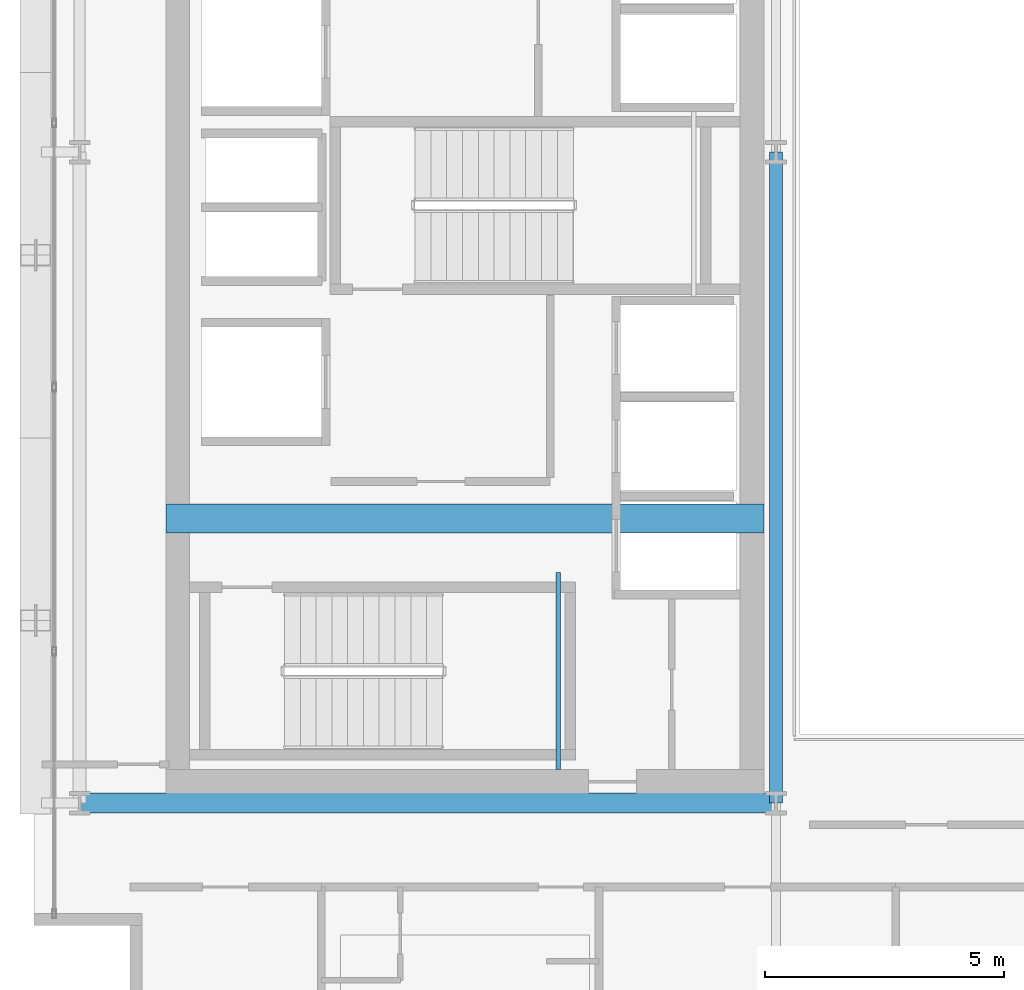
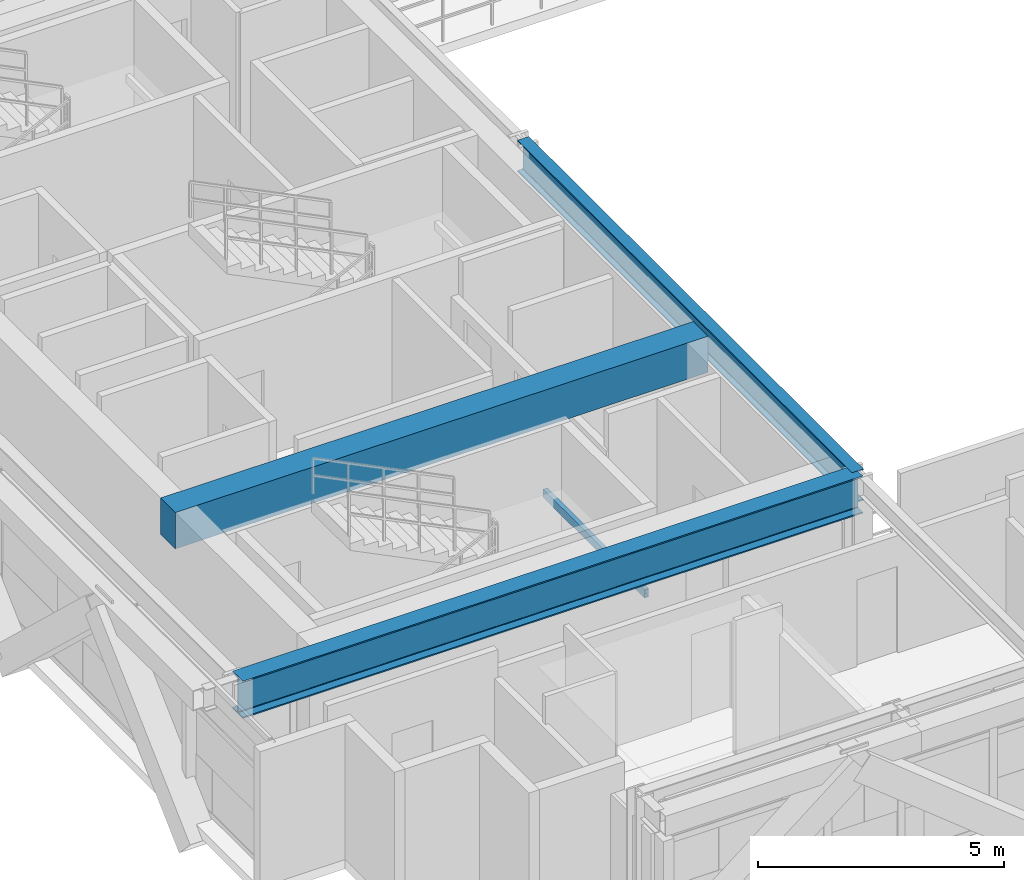
# One storey, part 5 of 31: 4 beams.
"""IFC4 building model written with IfcOpenShell, lengths in metres."""

from ifc_helpers import new_model, si_unit, direction, frame, origin, origin_2d, place, context, subcontext, project, spatial, rectangle, hollow_rectangle, i_section, extrude, source, transform, mapped, material, material_profile, profile_set, type_object, element, save


model = new_model("IFC4")

# Units and contexts
model_context = context("Model", 3, precision=1e-05, world=origin(), true_north=direction((0.0, 1.0)))
body_context = subcontext(model_context, "Body", "Model", "MODEL_VIEW")
ifc_project = project(units=[si_unit("LENGTHUNIT", "METRE"), si_unit("AREAUNIT", "SQUARE_METRE"), si_unit("VOLUMEUNIT", "CUBIC_METRE"), si_unit("PLANEANGLEUNIT", "RADIAN"), si_unit("MASSUNIT", "GRAM", prefix="KILO")], contexts=[model_context])

# Site, building, storey
site_placement = place(None, origin())
site = spatial("IfcSite", under=ifc_project, at=site_placement, CompositionType="ELEMENT")
building_placement = place(site_placement, origin())
building = spatial("IfcBuilding", under=site, at=building_placement, Name="Ocotamira Hotel", CompositionType="ELEMENT")
storey_placement = place(building_placement, frame((0.0, 0.0, 188.39990234375)))
storey = spatial("IfcBuildingStorey", under=building, at=storey_placement, Name="L47", CompositionType="ELEMENT", Elevation=188.39990234375)

# Beams
ifc_material_1 = material(Name="Concrete C50/60", Category="concrete")
ifc_material_profile_1 = material_profile(ifc_material_1, rectangle(XDim=0.60009765625, YDim=0.89990234375, at=origin_2d()), Name="RC600X900")
ifc_profile_set_1 = profile_set([ifc_material_profile_1], Name="Concrete C50/60")
beam_type_1 = type_object("IfcBeamType", Name="BM-LINK-RC600", PredefinedType="LINTEL", material=ifc_profile_set_1)
shared_shape_1 = source(origin(), body_context, "Body", "SweptSolid", [
    extrude(rectangle(XDim=0.60009765625, YDim=0.89990234375, at=origin_2d()), origin(), (0.0, 0.0, 1.0), 12.5),
])
beam_1_placement = place(storey_placement, frame((10.75, 20.5, 2.920166015625), z_axis=(1.0, 0.0, 0.0), x_axis=(0.0, 1.0, 0.0)))
element("IfcBeam", 1, at=beam_1_placement, inside=storey, type_object=beam_type_1, Name="L47 West Core Coupling Beam", PredefinedType="LINTEL", context=body_context, shape_type="MappedRepresentation", body=[
    mapped(shared_shape_1, transform((0.0, 0.0, 0.0), scale=1.0)),
])
ifc_material_2 = material(Name="Steel ASTM A500 Grade C", Category="steel")
ifc_material_profile_2 = material_profile(ifc_material_2, hollow_rectangle(XDim=0.10009765625, YDim=0.199951171875, WallThickness=0.008056640625, at=origin_2d()), Name="HSS200X100X8")
ifc_profile_set_2 = profile_set([ifc_material_profile_2], Name="Steel ASTM A500 Grade C")
beam_type_2 = type_object("IfcBeamType", Name="BM-STLDG-HSS200", PredefinedType="BEAM", material=ifc_profile_set_2)
shared_shape_2 = source(origin(), body_context, "Body", "SweptSolid", [
    extrude(hollow_rectangle(XDim=0.10009765625, YDim=0.199951171875, WallThickness=0.008056640625, at=origin_2d()), origin(), (0.0, 0.0, 1.0), 4.1201171875),
])
beam_2_placement = place(storey_placement, frame((18.949951171875, 15.25, 1.5), z_axis=(0.0, 1.0, 0.0), x_axis=(-1.0, 0.0, 0.0)))
element("IfcBeam", 2, at=beam_2_placement, inside=storey, type_object=beam_type_2, Name="L47 Stair ST-1 Landing Bearer 1", PredefinedType="BEAM", context=body_context, shape_type="MappedRepresentation", body=[
    mapped(shared_shape_2, transform((0.0, 0.0, 0.0), scale=1.0)),
])
ifc_material_3 = material(Name="Steel ASTM A992 Grade 50", Category="steel")
ifc_material_profile_3 = material_profile(ifc_material_3, i_section(OverallWidth=0.41796875, OverallDepth=0.927001953125, WebThickness=0.019287109375, FlangeThickness=0.031982421875, FilletRadius=0.02392578125, at=origin_2d()), Name="W36X231")
ifc_profile_set_3 = profile_set([ifc_material_profile_3], Name="Steel ASTM A992 Grade 50")
beam_type_3 = type_object("IfcBeamType", Name="BM-GIRD-W36X231", PredefinedType="BEAM", material=ifc_profile_set_3)
shared_shape_3 = source(origin(), body_context, "Body", "SweptSolid", [
    extrude(i_section(OverallWidth=0.41796875, OverallDepth=0.927001953125, WebThickness=0.019287109375, FlangeThickness=0.031982421875, FilletRadius=0.02392578125, at=origin_2d()), origin(), (0.0, 0.0, 1.0), 14.550048828125),
])
beam_3_placement = place(storey_placement, frame((8.949951171875, 14.550048828125, 2.906494140625), z_axis=(1.0, 0.0, 0.0), x_axis=(0.0, 1.0, 0.0)))
element("IfcBeam", 3, at=beam_3_placement, inside=storey, type_object=beam_type_3, Name="L47 Girder Y14.55 X8.95-23.5", PredefinedType="BEAM", context=body_context, shape_type="MappedRepresentation", body=[
    mapped(shared_shape_3, transform((0.0, 0.0, 0.0), scale=1.0)),
])
ifc_material_profile_4 = material_profile(ifc_material_3, i_section(OverallWidth=0.26611328125, OverallDepth=0.779052734375, WebThickness=0.0166015625, FlangeThickness=0.030029296875, FilletRadius=0.01806640625, at=origin_2d()), Name="W30X148")
ifc_profile_set_4 = profile_set([ifc_material_profile_4], Name="Steel ASTM A992 Grade 50")
beam_type_4 = type_object("IfcBeamType", Name="BM-GIRD-W30X148", PredefinedType="BEAM", material=ifc_profile_set_4)
shared_shape_4 = source(origin(), body_context, "Body", "SweptSolid", [
    extrude(i_section(OverallWidth=0.26611328125, OverallDepth=0.779052734375, WebThickness=0.0166015625, FlangeThickness=0.030029296875, FilletRadius=0.01806640625, at=origin_2d()), origin(), (0.0, 0.0, 1.0), 13.599853515625),
])
beam_4_placement = place(storey_placement, frame((23.5, 14.550048828125, 2.980712890625), z_axis=(0.0, 1.0, 0.0), x_axis=(-1.0, 0.0, 0.0)))
element("IfcBeam", 4, at=beam_4_placement, inside=storey, type_object=beam_type_4, Name="L47 Beam X23.5 Y14.55-28.15", PredefinedType="BEAM", context=body_context, shape_type="MappedRepresentation", body=[
    mapped(shared_shape_4, transform((0.0, 0.0, 0.0), scale=1.0)),
])

save(model, "model.ifc")
